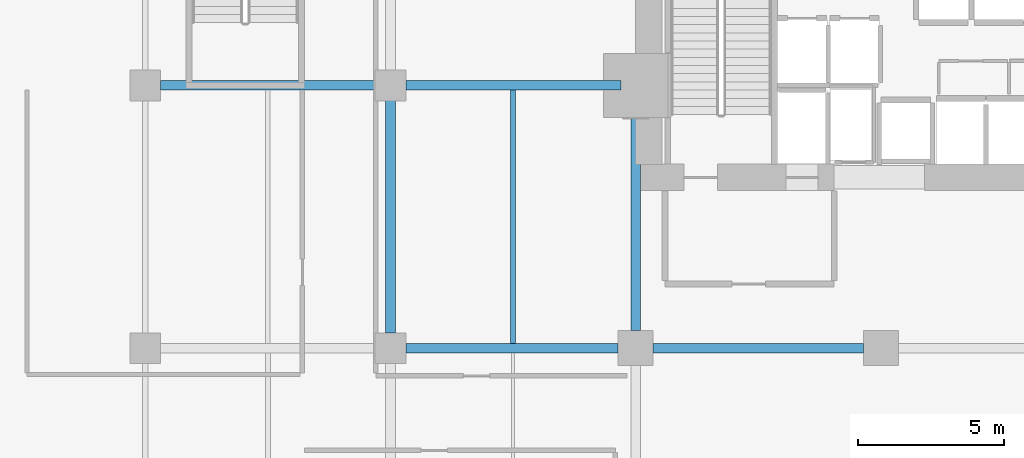
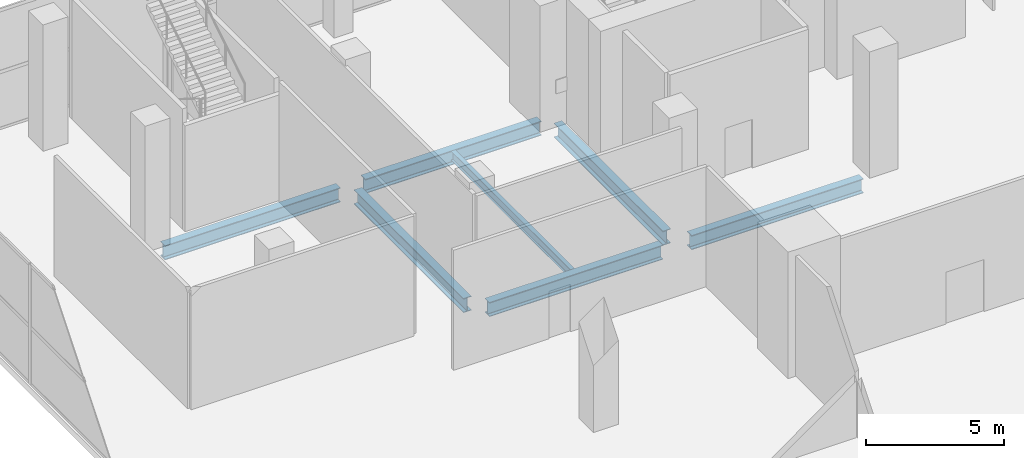
# One storey, part 19 of 40: 7 beams.
"""IFC4 building model written with IfcOpenShell, lengths in metres."""

import ifcopenshell
import ifcopenshell.guid

model = None  # the IFC model being written
_history = None  # IfcOwnerHistory: only IFC2X3 demands one
_inside = {}  # id of a spatial element -> (the spatial element, [elements in it])
_under = {}  # id of a project, library or spatial element -> (it, [spatial elements below it])
_declared = {}  # id of a project -> (the project, [libraries it declares])
_typed = {}  # id of a type object -> (the type object, [elements of that type])
_made_of = {}  # id of a material, layer set ... -> (it, [elements and type objects made of it])


def new_model(schema):
    """Start an empty IFC model of exactly this schema.

    Asked for "IFC4X3", IfcOpenShell would pick the latest addendum, in which some entities
    have other attributes; the version numbers below select the first issue.
    IFC2X3 requires an IfcOwnerHistory on every rooted entity: one is made here for all.
    """
    global model, _history
    if schema == "IFC4X3":
        model = ifcopenshell.file(schema_version=(4, 3, 0, 0))
    else:
        model = ifcopenshell.file(schema=schema)
    _inside.clear()
    _under.clear()
    _declared.clear()
    _typed.clear()
    _made_of.clear()
    _history = None
    if model.schema == "IFC2X3":
        org = make("IfcOrganization", Name="unknown")
        user = make(
            "IfcPersonAndOrganization",
            ThePerson=make("IfcPerson", FamilyName="unknown"),
            TheOrganization=org,
        )
        app = make(
            "IfcApplication",
            ApplicationDeveloper=org,
            Version="unknown",
            ApplicationFullName="unknown",
            ApplicationIdentifier="unknown",
        )
        _history = make(
            "IfcOwnerHistory",
            OwningUser=user,
            OwningApplication=app,
            ChangeAction="ADDED",
            CreationDate=0,
        )
    return model


def make(cls, **values):
    """One entity of the class cls with the attributes given. An attribute that is None is left unset."""
    return model.create_entity(
        cls, **{name: value for name, value in values.items() if value is not None}
    )


def rooted(cls, **values):
    """An entity with a GlobalId (a new one), such as an element, a storey or a relation."""
    return make(cls, GlobalId=ifcopenshell.guid.new(), OwnerHistory=_history, **values)


def si_unit(unit_type, name, prefix=None):
    """IfcSIUnit, for example si_unit("LENGTHUNIT", "METRE", prefix="MILLI")."""
    return make("IfcSIUnit", UnitType=unit_type, Prefix=prefix, Name=name)


def assignment(units):
    """IfcUnitAssignment: the units of a project."""
    return None if units is None else make("IfcUnitAssignment", Units=units)


def point(xyz):
    """IfcCartesianPoint."""
    return None if xyz is None else make("IfcCartesianPoint", Coordinates=xyz)


def direction(xyz):
    """IfcDirection."""
    return None if xyz is None else make("IfcDirection", DirectionRatios=xyz)


def frame(location, z_axis=None, x_axis=None):
    """IfcAxis2Placement3D, a coordinate frame: its origin and axes. An axis left out is left unset."""
    return make(
        "IfcAxis2Placement3D",
        Location=point(location),
        Axis=direction(z_axis),
        RefDirection=direction(x_axis),
    )


def frame_2d(location, x_axis=None):
    """IfcAxis2Placement2D, a coordinate frame in the plane: its origin and x axis."""
    return make(
        "IfcAxis2Placement2D", Location=point(location), RefDirection=direction(x_axis)
    )


def origin():
    """The frame at (0, 0, 0) with its axes left unset."""
    return frame((0.0, 0.0, 0.0))


def origin_2d():
    """The frame at (0, 0) in the plane with its x axis left unset."""
    return frame_2d((0.0, 0.0))


def place(relative_to, where):
    """IfcLocalPlacement: puts the frame where relative to a parent placement (None: the world)."""
    return make(
        "IfcLocalPlacement", PlacementRelTo=relative_to, RelativePlacement=where
    )


def context(
    kind, dimensions, precision=None, world=None, true_north=None, identifier=None
):
    """IfcGeometricRepresentationContext, for example the 3D "Model" context."""
    return make(
        "IfcGeometricRepresentationContext",
        ContextIdentifier=identifier,
        ContextType=kind,
        CoordinateSpaceDimension=dimensions,
        Precision=precision,
        WorldCoordinateSystem=world,
        TrueNorth=true_north,
    )


def subcontext(parent, identifier, kind, view, scale=None):
    """IfcGeometricRepresentationSubContext, for example "Body" below "Model"."""
    return make(
        "IfcGeometricRepresentationSubContext",
        ContextIdentifier=identifier,
        ContextType=kind,
        ParentContext=parent,
        TargetScale=scale,
        TargetView=view,
    )


def project(units=None, contexts=None):
    """IfcProject with its units and contexts."""
    return rooted(
        "IfcProject",
        Name="project",
        RepresentationContexts=contexts,
        UnitsInContext=assignment(units),
    )


def spatial(cls, under=None, at=None, **own):
    """A site, building, storey or space (cls), placed at a placement, below another one or the project."""
    s = rooted(cls, ObjectPlacement=at, **own)
    if under is not None:
        _under.setdefault(under.id(), (under, []))[1].append(s)
    return s


def profile(cls, at=None, kind="AREA", **sizes):
    """A parametric profile (cls). Its sizes go by their IFC names, for example OverallWidth=200.0."""
    return make(cls, ProfileType=kind, Position=at, **sizes)


def i_section(**sizes):
    """IfcIShapeProfileDef."""
    return profile("IfcIShapeProfileDef", **sizes)


def extrude(swept, where, along, depth):
    """IfcExtrudedAreaSolid: the profile swept, set in the frame where, extruded along a direction by depth."""
    return make(
        "IfcExtrudedAreaSolid",
        SweptArea=swept,
        Position=where,
        ExtrudedDirection=direction(along),
        Depth=depth,
    )


def shape(context_of_items, identifier, shape_type, items):
    """IfcShapeRepresentation: the items that make up one representation, for example the "Body"."""
    return make(
        "IfcShapeRepresentation",
        ContextOfItems=context_of_items,
        RepresentationIdentifier=identifier,
        RepresentationType=shape_type,
        Items=items,
    )


def material(Name=None, Category=None):
    """IfcMaterial."""
    return make("IfcMaterial", Name=Name, Category=Category)


def material_profile(
    of_material, cross_section, Name=None, Category=None, Priority=None
):
    """IfcMaterialProfile: a cross section and its material."""
    return make(
        "IfcMaterialProfile",
        Name=Name,
        Material=of_material,
        Profile=cross_section,
        Priority=Priority,
        Category=Category,
    )


def profile_set(profiles, Name=None, composite=None):
    """IfcMaterialProfileSet."""
    return make(
        "IfcMaterialProfileSet",
        Name=Name,
        MaterialProfiles=profiles,
        CompositeProfile=composite,
    )


def made_of(thing, what):
    """Note that an element or type object is made of a material, layer set ...; save() writes the relation."""
    if what is not None:
        _made_of.setdefault(what.id(), (what, []))[1].append(thing)
    return thing


def type_object(cls, material=None, **own):
    """A type object (cls), such as IfcWallType, which elements share."""
    return made_of(rooted(cls, **own), material)


def element(
    cls,
    number,
    at=None,
    inside=None,
    cuts=None,
    type_object=None,
    material=None,
    context=None,
    identifier="Body",
    shape_type=None,
    held_by="IfcProductDefinitionShape",
    body=None,
    shapes=None,
    **own,
):
    """One element of the class cls, such as IfcWall. Its Tag is "e" and its number.

    at: its placement. inside: the storey or other place that contains it. cuts: it is an
    opening in that element (IfcRelVoidsElement). A single representation is given by context,
    identifier, shape_type and body (its items); several are given by shapes. held_by: the class
    of the entity that holds the representations. save() writes the other relations.
    """
    e = rooted(cls, Tag="e%d" % number, ObjectPlacement=at, **own)
    if body is not None:
        shapes = [shape(context, identifier, shape_type, body)]
    if shapes is not None:
        e.Representation = make(held_by, Representations=shapes)
    if inside is not None:
        _inside.setdefault(inside.id(), (inside, []))[1].append(e)
    if cuts is not None:
        rooted(
            "IfcRelVoidsElement", RelatingBuildingElement=cuts, RelatedOpeningElement=e
        )
    if type_object is not None:
        _typed.setdefault(type_object.id(), (type_object, []))[1].append(e)
    return made_of(e, material)


def aggregate(whole, parts):
    """IfcRelAggregates: a whole, such as a stair, and the parts it consists of."""
    return rooted("IfcRelAggregates", RelatingObject=whole, RelatedObjects=parts)


def save(model, path):
    """Write the relations noted so far, then the file.

    IfcRelAggregates (storeys below a building ...), IfcRelContainedInSpatialStructure (elements
    in a storey), IfcRelDefinesByType, IfcRelAssociatesMaterial and IfcRelDeclares: one each for
    every whole, place, type object, material and project.
    """
    for whole, parts in _under.values():
        aggregate(whole, parts)
    for where, things in _inside.values():
        rooted(
            "IfcRelContainedInSpatialStructure",
            RelatedElements=things,
            RelatingStructure=where,
        )
    for kind, things in _typed.values():
        rooted("IfcRelDefinesByType", RelatedObjects=things, RelatingType=kind)
    for what, things in _made_of.values():
        rooted("IfcRelAssociatesMaterial", RelatedObjects=things, RelatingMaterial=what)
    for by, libraries in _declared.values():
        rooted("IfcRelDeclares", RelatingContext=by, RelatedDefinitions=libraries)
    model.write(path)


model = new_model("IFC4")

# Units and contexts
model_context = context("Model", 3, precision=1e-05, world=origin(), true_north=direction((0.0, 1.0)))
body_context = subcontext(model_context, "Body", "Model", "MODEL_VIEW")
ifc_project = project(units=[si_unit("LENGTHUNIT", "METRE"), si_unit("AREAUNIT", "SQUARE_METRE"), si_unit("VOLUMEUNIT", "CUBIC_METRE"), si_unit("PLANEANGLEUNIT", "RADIAN"), si_unit("MASSUNIT", "GRAM", prefix="KILO")], contexts=[model_context])

# Site, building, storey
site_placement = place(None, origin())
site = spatial("IfcSite", under=ifc_project, at=site_placement, CompositionType="ELEMENT")
building_placement = place(site_placement, origin())
building = spatial("IfcBuilding", under=site, at=building_placement, Name="Maruvema Waterfront Hotel and Observation Tower", CompositionType="ELEMENT")
storey_placement = place(building_placement, frame((0.0, 0.0, 10.85009765625)))
storey = spatial("IfcBuildingStorey", under=building, at=storey_placement, Name="L02", CompositionType="ELEMENT", Elevation=10.85009765625)

# Beams
ifc_material_1 = material(Name="Steel ASTM A572 Grade 50", Category="steel")
ifc_material_profile_1 = material_profile(ifc_material_1, i_section(OverallWidth=0.3291015625, OverallDepth=0.635009765625, WebThickness=0.017822265625, FlangeThickness=0.031005859375, FilletRadius=0.01806640625, at=origin_2d()), Name="W610x241.0")
ifc_profile_set_1 = profile_set([ifc_material_profile_1], Name="Steel ASTM A572 Grade 50")
beam_type_1 = type_object("IfcBeamType", Name="Primary Floor Girder W610x241.0", PredefinedType="BEAM", material=ifc_profile_set_1)
beam_1_placement = place(storey_placement, frame((17.324951171875, 36.0, -0.59765625), z_axis=(1.0, 0.0, 0.0), x_axis=(0.0, 1.0, 0.0)))
element("IfcBeam", 1, at=beam_1_placement, inside=storey, type_object=beam_type_1, Name="L02 Floor Girder EW-26", PredefinedType="BEAM", context=body_context, shape_type="SweptSolid", body=[
    extrude(i_section(OverallWidth=0.3291015625, OverallDepth=0.635009765625, WebThickness=0.017822265625, FlangeThickness=0.031005859375, FilletRadius=0.01806640625, at=origin_2d()), origin(), (0.0, 0.0, 1.0), 7.275146484375),
])
beam_2_placement = place(storey_placement, frame((25.800048828125, 36.0, -0.59765625), z_axis=(1.0, 0.0, 0.0), x_axis=(0.0, 1.0, 0.0)))
element("IfcBeam", 2, at=beam_2_placement, inside=storey, type_object=beam_type_1, Name="L02 Floor Girder EW-27", PredefinedType="BEAM", context=body_context, shape_type="SweptSolid", body=[
    extrude(i_section(OverallWidth=0.3291015625, OverallDepth=0.635009765625, WebThickness=0.017822265625, FlangeThickness=0.031005859375, FilletRadius=0.01806640625, at=origin_2d()), origin(), (0.0, 0.0, 1.0), 7.199951171875),
])
beam_3_placement = place(storey_placement, frame((8.925048828125, 45.0, -0.59765625), z_axis=(1.0, 0.0, 0.0), x_axis=(0.0, 1.0, 0.0)))
element("IfcBeam", 3, at=beam_3_placement, inside=storey, type_object=beam_type_1, Name="L02 Floor Girder EW-32", PredefinedType="BEAM", context=body_context, shape_type="SweptSolid", body=[
    extrude(i_section(OverallWidth=0.3291015625, OverallDepth=0.635009765625, WebThickness=0.017822265625, FlangeThickness=0.031005859375, FilletRadius=0.01806640625, at=origin_2d()), origin(), (0.0, 0.0, 1.0), 7.349853515625),
])
beam_4_placement = place(storey_placement, frame((17.324951171875, 45.0, -0.59765625), z_axis=(1.0, 0.0, 0.0), x_axis=(0.0, 1.0, 0.0)))
element("IfcBeam", 4, at=beam_4_placement, inside=storey, type_object=beam_type_1, Name="L02 Floor Girder EW-33", PredefinedType="BEAM", context=body_context, shape_type="SweptSolid", body=[
    extrude(i_section(OverallWidth=0.3291015625, OverallDepth=0.635009765625, WebThickness=0.017822265625, FlangeThickness=0.031005859375, FilletRadius=0.01806640625, at=origin_2d()), origin(), (0.0, 0.0, 1.0), 7.375),
])
beam_5_placement = place(storey_placement, frame((16.800048828125, 36.52490234375, -0.59765625), z_axis=(0.0, 1.0, 0.0), x_axis=(-1.0, 0.0, 0.0)))
element("IfcBeam", 5, at=beam_5_placement, inside=storey, type_object=beam_type_1, Name="L02 Floor Girder NS-11", PredefinedType="BEAM", context=body_context, shape_type="SweptSolid", body=[
    extrude(i_section(OverallWidth=0.3291015625, OverallDepth=0.635009765625, WebThickness=0.017822265625, FlangeThickness=0.031005859375, FilletRadius=0.01806640625, at=origin_2d()), origin(), (0.0, 0.0, 1.0), 7.9501953125),
])
beam_6_placement = place(storey_placement, frame((25.199951171875, 36.60009765625, -0.59765625), z_axis=(0.0, 1.0, 0.0), x_axis=(-1.0, 0.0, 0.0)))
element("IfcBeam", 6, at=beam_6_placement, inside=storey, type_object=beam_type_1, Name="L02 Floor Girder NS-17", PredefinedType="BEAM", context=body_context, shape_type="SweptSolid", body=[
    extrude(i_section(OverallWidth=0.3291015625, OverallDepth=0.635009765625, WebThickness=0.017822265625, FlangeThickness=0.031005859375, FilletRadius=0.01806640625, at=origin_2d()), origin(), (0.0, 0.0, 1.0), 7.89990234375),
])
ifc_material_2 = material(Name="Steel ASTM A572 Grade 50", Category="steel")
ifc_material_profile_2 = material_profile(ifc_material_2, i_section(OverallWidth=0.177001953125, OverallDepth=0.403076171875, WebThickness=0.007568359375, FlangeThickness=0.010986328125, FilletRadius=0.014892578125, at=origin_2d()), Name="W410x53.0")
ifc_profile_set_2 = profile_set([ifc_material_profile_2], Name="Steel ASTM A572 Grade 50")
beam_type_2 = type_object("IfcBeamType", Name="Secondary Floor Joist W410x53.0", PredefinedType="JOIST", material=ifc_profile_set_2)
beam_7_placement = place(storey_placement, frame((21.0, 36.16455078125, -0.481689453125), z_axis=(0.0, 1.0, 0.0), x_axis=(-1.0, 0.0, 0.0)))
element("IfcBeam", 7, at=beam_7_placement, inside=storey, type_object=beam_type_2, Name="L02 Secondary Floor Joist JS-08", PredefinedType="JOIST", context=body_context, shape_type="SweptSolid", body=[
    extrude(i_section(OverallWidth=0.177001953125, OverallDepth=0.403076171875, WebThickness=0.007568359375, FlangeThickness=0.010986328125, FilletRadius=0.014892578125, at=origin_2d()), origin(), (0.0, 0.0, 1.0), 8.6708984375),
])

save(model, "model.ifc")
